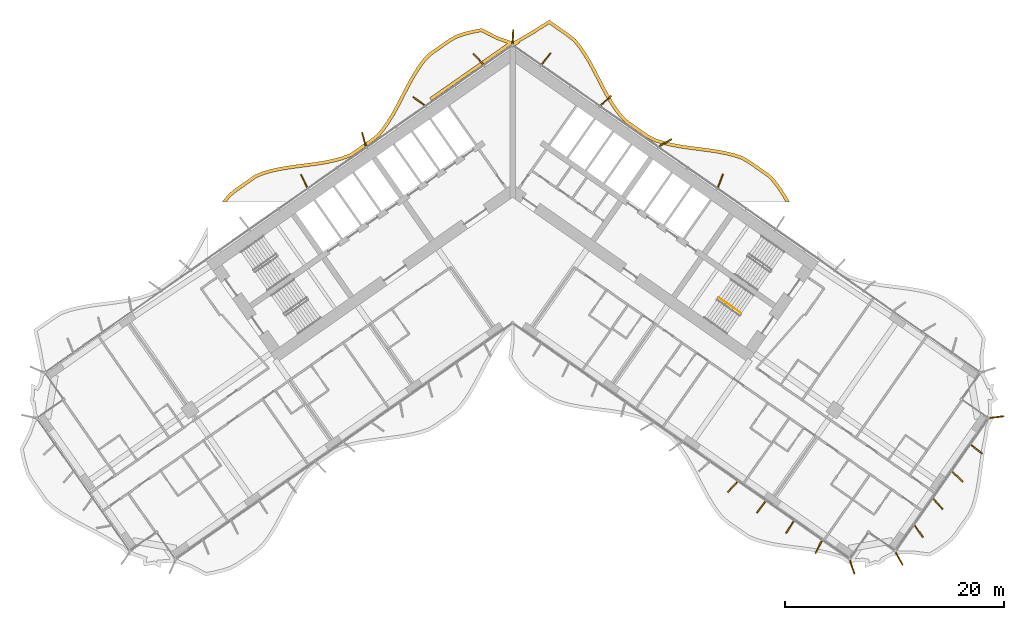
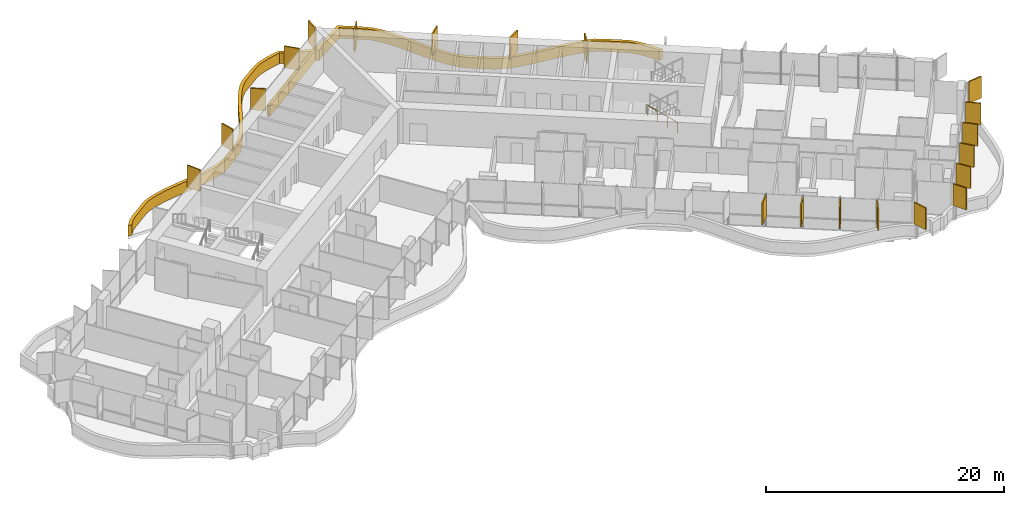
# One storey, part 23 of 24: 21 shading devices, 1 railing.
"""IFC4 building model written with IfcOpenShell, lengths in metres."""

from ifc_helpers import new_model, si_unit, direction, frame, origin, origin_2d, place, context, subcontext, project, spatial, polyline, rectangle, circle, outline, extrude, material, layer, layer_set, type_object, element, save


model = new_model("IFC4")

# Units and contexts
model_context = context("Model", 3, precision=1e-05, world=origin(), true_north=direction((0.0, 1.0)))
body_context = subcontext(model_context, "Body", "Model", "MODEL_VIEW")
ifc_project = project(units=[si_unit("LENGTHUNIT", "METRE"), si_unit("AREAUNIT", "SQUARE_METRE"), si_unit("VOLUMEUNIT", "CUBIC_METRE"), si_unit("PLANEANGLEUNIT", "RADIAN"), si_unit("MASSUNIT", "GRAM", prefix="KILO")], contexts=[model_context])

# Site, building, storey
site_placement = place(None, origin())
site = spatial("IfcSite", under=ifc_project, at=site_placement, CompositionType="ELEMENT")
building_placement = place(site_placement, origin())
building = spatial("IfcBuilding", under=site, at=building_placement, Name="Tel Ilan Convention Tower", CompositionType="ELEMENT")
storey_placement = place(building_placement, frame((0.0, 0.0, 68.89990234375)))
storey = spatial("IfcBuildingStorey", under=building, at=storey_placement, Name="L12", CompositionType="ELEMENT", Elevation=68.89990234375)

# Shading devices
ifc_material_1 = material(Name="Aluminium, bronze anodised", Category="aluminium")
ifc_layer_1 = layer(ifc_material_1, 0.1201171875)
ifc_layer_set_1 = layer_set([ifc_layer_1], Name="FIN BRONZE 1300x120")
shading_device_type_1 = type_object("IfcShadingDeviceType", Name="FIN BRONZE 1300x120", PredefinedType="USERDEFINED", material=ifc_layer_set_1)
for number, where, z_axis, x_axis, name in (
    (1, (19.00390625, 0.298583984375, 1.10009765625), (0.0, 0.0, 1.0), (0.360177724803, 0.932883704733, 0.0), "FIN"),
    (2, (13.978515625, 3.77978515625, 1.10009765625), (0.0, 0.0, 1.0), (0.866025403784, 0.5, 0.0), "FIN"),
    (3, (8.53857421875, 7.626708984375, 1.10009765625), (0.0, 0.0, 1.0), (0.753435896329, 0.657521368568, 0.0), "FIN"),
    (4, (3.079833984375, 11.45703125, 1.10009765625), (0.0, 0.0, 1.0), (0.612600545196, 0.790392669516, 0.0), "FIN"),
    (5, (0.031494140625, 13.4697265625, 1.10009765625), (0.0, 0.0, 1.0), (0.048462378231, 0.998825008646, 0.0), "FIN"),
    (6, (-3.131103515625, 11.4208984375, 1.10009765625), (0.0, 0.0, 1.0), (-0.686241637865, 0.727373641577, 0.0), "FIN"),
    (7, (-8.580810546875, 7.581787109375, 1.10009765625), (0.0, 0.0, 1.0), (-0.813552070258, 0.581492071294, 0.0), "FIN"),
    (8, (-13.5869140625, 4.076416015625, 1.10009765625), (0.0, 0.0, 1.0), (-0.268172612768, 0.963370878614, 0.0), "FIN"),
    (9, (-19.058349609375, 0.2685546875, 1.10009765625), (0.0, 0.0, 1.0), (-0.448799180206, 0.893632640321, 0.0), "FIN"),
    (10, (20.10888671875, -27.693603515625, 1.10009765625), (0.0, 0.0, 1.0), (-0.686241637865, -0.727373641577, 0.0), "FIN"),
    (11, (22.72998046875, -29.529296875, 1.10009765625), (0.0, 0.0, 1.0), (-0.612600545196, -0.790392669516, 0.0), "FIN"),
    (12, (25.3515625, -31.364990234375, 1.10009765625), (0.0, 0.0, 1.0), (-0.533204432798, -0.845986425922, 0.0), "FIN"),
    (13, (27.972900390625, -33.2001953125, 1.10009765625), (0.0, 0.0, 1.0), (-0.448799180206, -0.893632640321, 0.0), "FIN"),
    (14, (31.045166015625, -35.037109375, 1.10009765625), (0.0, 0.0, 1.0), (0.314544756146, -0.949242643575, 0.0), "FIN"),
    (15, (35.34033203125, -34.260498046875, 1.10009765625), (0.0, 0.0, 1.0), (0.491579408049, -0.870832754082, 0.0), "FIN"),
    (16, (37.132080078125, -31.7578125, 1.10009765625), (0.0, 0.0, 1.0), (0.581492071294, -0.813552070258, 0.0), "FIN"),
    (17, (38.897705078125, -29.258056640625, 1.10009765625), (0.0, 0.0, 1.0), (0.657521368568, -0.753435896329, 0.0), "FIN"),
    (18, (40.6591796875, -26.753662109375, 1.10009765625), (0.0, 0.0, 1.0), (0.727373641577, -0.686241637865, 0.0), "FIN"),
    (19, (42.416015625, -24.2451171875, 1.10009765625), (0.0, 0.0, 1.0), (0.790392669516, -0.612600545196, 0.0), "FIN"),
    (20, (44.268310546875, -21.305908203125, 1.10009765625), (0.0, 0.0, 1.0), (0.992066016082, 0.125718016748, 0.0), "FIN"),
):
    element("IfcShadingDevice", number, at=place(storey_placement, frame(where, z_axis=z_axis, x_axis=x_axis)), inside=storey, type_object=shading_device_type_1, Name=name, ObjectType="FIN", PredefinedType="USERDEFINED", context=body_context, shape_type="SweptSolid", body=[
        extrude(rectangle(XDim=1.300048828125, YDim=0.1201171875, at=origin_2d()), origin(), (0.0, 0.0, 1.0), 2.219970703125),
    ])
ifc_material_2 = material(Name="Aluminium, bronze anodised", Category="aluminium")
ifc_layer_2 = layer(ifc_material_2, 0.300048828125)
ifc_layer_set_2 = layer_set([ifc_layer_2], Name="LOUVRE BAND 300x1100")
shading_device_type_2 = type_object("IfcShadingDeviceType", Name="LOUVRE BAND 300x1100", PredefinedType="USERDEFINED", material=ifc_layer_set_2)
shading_device_placement = place(storey_placement, origin())
element("IfcShadingDevice", 21, at=shading_device_placement, inside=storey, type_object=shading_device_type_2, Name="LOUVRE BAND 12.02", ObjectType="LOUVRE", PredefinedType="USERDEFINED", context=body_context, shape_type="SweptSolid", body=[
    extrude(outline(polyline([(-26.470947265625, -1.533447265625), (-26.5380859375, -1.631591796875), (-26.164794921875, -1.631591796875), (-25.768798828125, -1.13916015625), (-25.22119140625, -0.691162109375), (-23.4189453125, 0.570556640625), (-22.757568359375, 0.845947265625), (-22.025146484375, 1.0595703125), (-21.250732421875, 1.229248046875), (-20.445556640625, 1.36474609375), (-17.94091796875, 1.697021484375), (-17.10986328125, 1.831298828125), (-16.29736328125, 2.001220703125), (-15.51171875, 2.2197265625), (-14.73974609375, 2.50537109375), (-14.091552734375, 2.951171875), (-12.86083984375, 3.812744140625), (-12.2314453125, 4.287841796875), (-11.706298828125, 4.921142578125), (-11.2373046875, 5.590576171875), (-10.803466796875, 6.300537109375), (-10.395751953125, 7.0380859375), (-9.617919921875, 8.540283203125), (-9.227294921875, 9.275390625), (-8.822509765625, 9.9814453125), (-8.39501953125, 10.64501953125), (-7.941650390625, 11.25048828125), (-7.44140625, 11.75830078125), (-5.638916015625, 13.020263671875), (-5.01953125, 13.36328125), (-4.31494140625, 13.594970703125), (-3.555908203125, 13.7822265625), (-2.858154296875, 13.91259765625), (-1.501220703125, 13.2119140625), (-0.474609375, 12.85205078125), (-7.591552734375, 7.86865234375), (-7.41943359375, 7.623046875), (0.0, 12.818115234375), (0.261474609375, 12.635009765625), (0.71044921875, 12.94921875), (0.5732421875, 12.94921875), (1.861328125, 13.69384765625), (3.339111328125, 14.630615234375), (5.00537109375, 13.4638671875), (5.557861328125, 13.021728515625), (6.019775390625, 12.45166015625), (6.460205078125, 11.81103515625), (6.87451171875, 11.123046875), (7.270751953125, 10.399658203125), (8.04541015625, 8.9013671875), (8.444580078125, 8.155517578125), (8.865234375, 7.431396484375), (9.31689453125, 6.74169921875), (9.814697265625, 6.0908203125), (10.396484375, 5.538330078125), (12.26953125, 4.226806640625), (12.98193359375, 3.861572265625), (13.763427734375, 3.61376953125), (14.564697265625, 3.4228515625), (15.388427734375, 3.27392578125), (16.225341796875, 3.153076171875), (17.89892578125, 2.9375), (18.715087890625, 2.813720703125), (19.504638671875, 2.661376953125), (20.259033203125, 2.468505859375), (20.95556640625, 2.231201171875), (21.563720703125, 1.869873046875), (23.36572265625, 0.60791015625), (23.8505859375, 0.080322265625), (24.302001953125, -0.53466796875), (24.726318359375, -1.204345703125), (24.968505859375, -1.631591796875), (25.313232421875, -1.631591796875), (24.983642578125, -1.0498046875), (24.5498046875, -0.365478515625), (24.082763671875, 0.271240234375), (23.564453125, 0.8349609375), (21.7265625, 2.121826171875), (21.081787109375, 2.505126953125), (20.3447265625, 2.756103515625), (19.5703125, 2.9541015625), (18.76611328125, 3.109375), (17.940673828125, 3.234619140625), (16.265625, 3.450439453125), (15.4365234375, 3.570068359375), (14.626220703125, 3.716796875), (13.843505859375, 3.903076171875), (13.0966796875, 4.14013671875), (12.4248046875, 4.484375), (10.5869140625, 5.771484375), (10.038330078125, 6.2919921875), (9.561767578125, 6.915283203125), (9.12060546875, 7.5888671875), (8.70654296875, 8.3017578125), (8.31103515625, 9.040771484375), (7.535400390625, 10.540771484375), (7.134765625, 11.2724609375), (6.712646484375, 11.9736328125), (6.26025390625, 12.63134765625), (5.7705078125, 13.23583984375), (5.185302734375, 13.7041015625), (3.347412109375, 14.990966796875), (1.7060546875, 13.950439453125), (0.168701171875, 13.059326171875), (0.11474609375, 13.09521484375), (0.0, 13.1181640625), (-0.11474609375, 13.09521484375), (-0.168701171875, 13.059326171875), (-1.382080078125, 13.48828125), (-2.81201171875, 14.226318359375), (-3.619384765625, 14.075439453125), (-4.39794921875, 13.883544921875), (-5.14013671875, 13.639404296875), (-5.798095703125, 13.275146484375), (-7.635986328125, 11.98828125), (-8.169677734375, 11.446533203125), (-8.641357421875, 10.81640625), (-9.078857421875, 10.13720703125), (-9.489990234375, 9.42041015625), (-9.8837890625, 8.67919921875), (-10.66015625, 7.179931640625), (-11.06298828125, 6.451416015625), (-11.488525390625, 5.755126953125), (-11.945068359375, 5.103271484375), (-12.43994140625, 4.506103515625), (-13.037353515625, 4.055419921875), (-14.87890625, 2.773681640625), (-15.60400390625, 2.50537109375), (-16.3681640625, 2.29296875), (-17.16455078125, 2.12646484375), (-17.98486328125, 1.993896484375), (-20.490966796875, 1.661376953125), (-21.307861328125, 1.52392578125), (-22.099365234375, 1.350341796875), (-22.857421875, 1.129150390625), (-23.564453125, 0.8349609375), (-25.40234375, -0.451904296875), (-25.98291015625, -0.9267578125), (-26.470947265625, -1.533447265625)])), origin(), (0.0, 0.0, 1.0), 1.10009765625),
])

# Railing
ifc_material_3 = material(Name="Stainless Steel Grade 316", Category="steel")
railing_type = type_object("IfcRailingType", Name="Stainless Steel Stair Guard 1100 mm", PredefinedType="GUARDRAIL", material=ifc_material_3)
railing_placement = place(storey_placement, frame((20.89697265625, -11.824462890625, 0.18017578125)))
element("IfcRailing", 22, at=railing_placement, inside=storey, type_object=railing_type, Name="L12 S4 stair guard 1", PredefinedType="GUARDRAIL", context=body_context, shape_type="SweptSolid", body=[
    extrude(circle(Radius=0.02392578125, at=origin_2d()), frame((0.0, 0.0, 1.076171875), z_axis=(-0.689043377453, 0.48253410265, 0.540721798865), x_axis=(-0.573624882958, -0.819118119475, 0.0)), (0.0, 0.0, 1.0), 2.995849609375),
    extrude(circle(Radius=0.02099609375, at=origin_2d()), origin(), (0.0, 0.0, 1.0), 1.052001953125),
    extrude(circle(Radius=0.02099609375, at=origin_2d()), frame((-0.68798828125, 0.48193359375, 0.5400390625)), (0.0, 0.0, 1.0), 1.052001953125),
    extrude(circle(Radius=0.02099609375, at=origin_2d()), frame((-1.376220703125, 0.963623046875, 1.079833984375)), (0.0, 0.0, 1.0), 1.052001953125),
    extrude(circle(Radius=0.02099609375, at=origin_2d()), frame((-2.064208984375, 1.445556640625, 1.619873046875)), (0.0, 0.0, 1.0), 1.052001953125),
])

save(model, "model.ifc")
